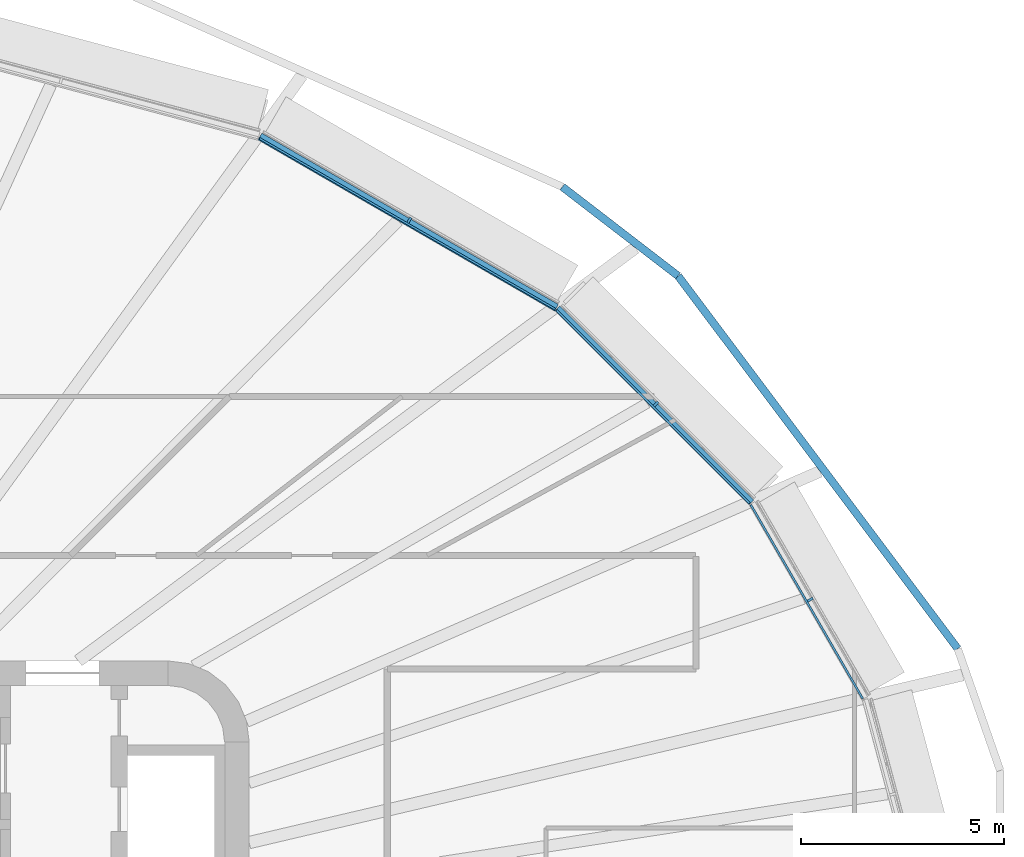
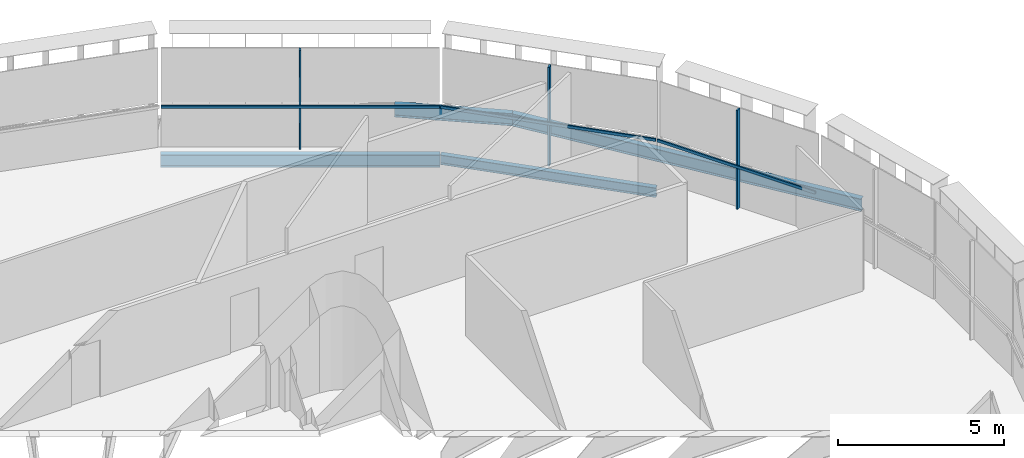
# One storey, part 10 of 25: 6 members, 4 beams, 3 elements without a shape of their own.
"""IFC4 building model written with IfcOpenShell, lengths in metres."""

from ifc_helpers import new_model, si_unit, direction, frame, origin, origin_2d, place, context, subcontext, project, spatial, rectangle, i_section, extrude, material, layer, layer_set, material_profile, profile_set, type_object, element, aggregate, save


model = new_model("IFC4")

# Units and contexts
model_context = context("Model", 3, precision=1e-05, world=origin(), true_north=direction((0.0, 1.0)))
body_context = subcontext(model_context, "Body", "Model", "MODEL_VIEW")
ifc_project = project(units=[si_unit("LENGTHUNIT", "METRE"), si_unit("AREAUNIT", "SQUARE_METRE"), si_unit("VOLUMEUNIT", "CUBIC_METRE"), si_unit("PLANEANGLEUNIT", "RADIAN"), si_unit("MASSUNIT", "GRAM", prefix="KILO")], contexts=[model_context])

# Site, building, storey
site_placement = place(None, origin())
site = spatial("IfcSite", under=ifc_project, at=site_placement, CompositionType="ELEMENT")
building_placement = place(site_placement, origin())
building = spatial("IfcBuilding", under=site, at=building_placement, Name="Sahrelin Media Tower", CompositionType="ELEMENT")
storey_placement = place(building_placement, frame((0.0, 0.0, 135.60009765625)))
storey = spatial("IfcBuildingStorey", under=building, at=storey_placement, Name="L27", CompositionType="ELEMENT", Elevation=135.60009765625)

# Beams
ifc_material_1 = material(Name="Steel S355", Category="steel")
ifc_material_profile_1 = material_profile(ifc_material_1, i_section(OverallWidth=0.17138671875, OverallDepth=0.35498046875, WebThickness=0.00732421875, FlangeThickness=0.011474609375, FilletRadius=0.01025390625, at=origin_2d()), Name="UB 356x171x51")
ifc_profile_set_1 = profile_set([ifc_material_profile_1], Name="Steel S355")
beam_type_1 = type_object("IfcBeamType", Name="Edge beam EB3", PredefinedType="BEAM", material=ifc_profile_set_1)
beam_1_placement = place(storey_placement, frame((22.59033203125, 16.677978515625, -0.32763671875), z_axis=(0.707106781187, -0.707106781187, 0.0), x_axis=(0.707106781187, 0.707106781187, 0.0)))
element("IfcBeam", 1, at=beam_1_placement, inside=storey, type_object=beam_type_1, Name="Edge beam L27-22", PredefinedType="BEAM", context=body_context, shape_type="SweptSolid", body=[
    extrude(i_section(OverallWidth=0.17138671875, OverallDepth=0.35498046875, WebThickness=0.00732421875, FlangeThickness=0.011474609375, FilletRadius=0.01025390625, at=origin_2d()), origin(), (0.0, 0.0, 1.0), 6.751953125),
])
ifc_material_profile_2 = material_profile(ifc_material_1, i_section(OverallWidth=0.1904296875, OverallDepth=0.45703125, WebThickness=0.009033203125, FlangeThickness=0.014404296875, FilletRadius=0.01025390625, at=origin_2d()), Name="UB 457x191x74")
ifc_profile_set_2 = profile_set([ifc_material_profile_2], Name="Steel S355")
beam_type_2 = type_object("IfcBeamType", Name="Edge beam EB5", PredefinedType="BEAM", material=ifc_profile_set_2)
beam_2_placement = place(storey_placement, frame((15.264404296875, 20.911865234375, -0.378662109375), z_axis=(0.866028896434, -0.499993950504, 0.0), x_axis=(0.499993950504, 0.866028896434, 0.0)))
element("IfcBeam", 2, at=beam_2_placement, inside=storey, type_object=beam_type_2, Name="Edge beam L27-21", PredefinedType="BEAM", context=body_context, shape_type="SweptSolid", body=[
    extrude(i_section(OverallWidth=0.1904296875, OverallDepth=0.45703125, WebThickness=0.009033203125, FlangeThickness=0.014404296875, FilletRadius=0.01025390625, at=origin_2d()), origin(), (0.0, 0.0, 1.0), 8.4326171875),
])

# Curtain wall, member
ifc_material_2 = material(Name="Champagne anodised aluminium 6063-T6", Category="aluminium")
ifc_layer = layer(ifc_material_2, 0.14990234375)
ifc_layer_set = layer_set([ifc_layer], Name="Tower ribbon curtain wall")
curtain_wall_type = type_object("IfcCurtainWallType", Name="Tower ribbon curtain wall", PredefinedType="NOTDEFINED", material=ifc_layer_set)
curtain_wall_1_placement = place(storey_placement, frame((28.8984375, 9.5546875, 0.0), z_axis=(0.0, 0.0, 1.0), x_axis=(1.0, 0.0, 0.0)))
curtain_wall_1 = element("IfcCurtainWall", 3, at=curtain_wall_1_placement, inside=storey, type_object=curtain_wall_type, Name="L27:CW:L27-02", PredefinedType="NOTDEFINED")
ifc_material_profile_3 = material_profile(ifc_material_2, rectangle(XDim=0.06005859375, YDim=0.14990234375, at=origin_2d()), Name="Mullion 60x150")
ifc_profile_set_3 = profile_set([ifc_material_profile_3], Name="Champagne anodised aluminium 6063-T6")
member_type_1 = type_object("IfcMemberType", Name="Mullion 60x150 CW1", PredefinedType="MULLION", material=ifc_profile_set_3)
member_1_placement = place(storey_placement, frame((28.816162109375, 9.507080078125, 0.0), z_axis=(0.0, 0.0, 1.0), x_axis=(-0.49999395399, 0.866028894422, 0.0)))
member_1 = element("IfcMember", 4, at=member_1_placement, type_object=member_type_1, Name="L27:CWM:L27-02", PredefinedType="MULLION", context=body_context, shape_type="SweptSolid", body=[
    extrude(rectangle(XDim=0.06005859375, YDim=0.14990234375, at=origin_2d()), origin(), (0.0, 0.0, 1.0), 3.6484375),
])

curtain_wall_2_placement = place(storey_placement, frame((25.08349609375, 14.39697265625, 0.0), z_axis=(0.0, 0.0, 1.0), x_axis=(1.0, 0.0, 0.0)))
curtain_wall_2 = element("IfcCurtainWall", 5, at=curtain_wall_2_placement, inside=storey, type_object=curtain_wall_type, Name="L27:CW:L27-03", PredefinedType="NOTDEFINED")
member_2_placement = place(storey_placement, frame((25.016357421875, 14.32958984375, 0.0), z_axis=(0.0, 0.0, 1.0), x_axis=(-0.707106781187, 0.707106781187, 0.0)))
member_2 = element("IfcMember", 6, at=member_2_placement, type_object=member_type_1, Name="L27:CWM:L27-03", PredefinedType="MULLION", context=body_context, shape_type="SweptSolid", body=[
    extrude(rectangle(XDim=0.06005859375, YDim=0.14990234375, at=origin_2d()), origin(), (0.0, 0.0, 1.0), 3.6484375),
])

curtain_wall_3_placement = place(storey_placement, frame((18.990966796875, 18.93359375, 0.0), z_axis=(0.0, 0.0, 1.0), x_axis=(1.0, 0.0, 0.0)))
curtain_wall_3 = element("IfcCurtainWall", 7, at=curtain_wall_3_placement, inside=storey, type_object=curtain_wall_type, Name="L27:CW:L27-04", PredefinedType="NOTDEFINED")
member_3_placement = place(storey_placement, frame((18.943603515625, 18.851318359375, 0.0), z_axis=(0.0, 0.0, 1.0), x_axis=(-0.866027149108, 0.499996976998, 0.0)))
member_3 = element("IfcMember", 8, at=member_3_placement, type_object=member_type_1, Name="L27:CWM:L27-04", PredefinedType="MULLION", context=body_context, shape_type="SweptSolid", body=[
    extrude(rectangle(XDim=0.06005859375, YDim=0.14990234375, at=origin_2d()), origin(), (0.0, 0.0, 1.0), 3.6484375),
])

# Beams
ifc_material_profile_4 = material_profile(ifc_material_1, i_section(OverallWidth=0.1904296875, OverallDepth=0.45703125, WebThickness=0.009033203125, FlangeThickness=0.014404296875, FilletRadius=0.01025390625, at=origin_2d()), Name="UB 457x191x74")
ifc_profile_set_4 = profile_set([ifc_material_profile_4], Name="Steel S355")
beam_type_3 = type_object("IfcBeamType", Name="Tie chord TC5", PredefinedType="BEAM", material=ifc_profile_set_4)
beam_3_placement = place(storey_placement, frame((32.4482421875, 8.2978515625, -0.378662109375), z_axis=(-0.600040835685, 0.799969371608, 0.0), x_axis=(-0.799969371608, -0.600040835685, 0.0)))
element("IfcBeam", 9, at=beam_3_placement, inside=storey, type_object=beam_type_3, Name="Tie chord L27-02", PredefinedType="BEAM", context=body_context, shape_type="SweptSolid", body=[
    extrude(i_section(OverallWidth=0.1904296875, OverallDepth=0.45703125, WebThickness=0.009033203125, FlangeThickness=0.014404296875, FilletRadius=0.01025390625, at=origin_2d()), origin(), (0.0, 0.0, 1.0), 11.478759765625),
])
beam_4_placement = place(storey_placement, frame((25.560546875, 17.48046875, -0.378662109375), z_axis=(-0.792467490374, 0.609914155189, 0.0), x_axis=(-0.609914155189, -0.792467490374, 0.0)))
element("IfcBeam", 10, at=beam_4_placement, inside=storey, type_object=beam_type_3, Name="Tie chord L27-03", PredefinedType="BEAM", context=body_context, shape_type="SweptSolid", body=[
    extrude(i_section(OverallWidth=0.1904296875, OverallDepth=0.45703125, WebThickness=0.009033203125, FlangeThickness=0.014404296875, FilletRadius=0.01025390625, at=origin_2d()), origin(), (0.0, 0.0, 1.0), 3.59619140625),
])

# Member
ifc_material_profile_5 = material_profile(ifc_material_2, rectangle(XDim=0.050048828125, YDim=0.10009765625, at=origin_2d()), Name="Transom 50x100")
ifc_profile_set_5 = profile_set([ifc_material_profile_5], Name="Champagne anodised aluminium 6063-T6")
member_type_2 = type_object("IfcMemberType", Name="Transom 50x100 CW1", PredefinedType="USERDEFINED", material=ifc_profile_set_5)
member_4_placement = place(storey_placement, frame((30.10791015625, 7.069580078125, 1.599853515625), z_axis=(-0.500006091826, 0.866021886639, 0.0), x_axis=(-0.866021886639, -0.500006091826, 0.0)))
member_4 = element("IfcMember", 11, at=member_4_placement, type_object=member_type_2, Name="L27:CWT:L27-02", ObjectType="TRANSOM", PredefinedType="USERDEFINED", context=body_context, shape_type="SweptSolid", body=[
    extrude(rectangle(XDim=0.050048828125, YDim=0.10009765625, at=origin_2d()), origin(), (0.0, 0.0, 1.0), 5.513671875),
])

aggregate(curtain_wall_1, [member_1, member_4])

member_5_placement = place(storey_placement, frame((27.32177734375, 11.8828125, 1.599853515625), z_axis=(-0.707106781187, 0.707106781187, 0.0), x_axis=(-0.707106781187, -0.707106781187, 0.0)))
member_5 = element("IfcMember", 12, at=member_5_placement, type_object=member_type_2, Name="L27:CWT:L27-03", ObjectType="TRANSOM", PredefinedType="USERDEFINED", context=body_context, shape_type="SweptSolid", body=[
    extrude(rectangle(XDim=0.050048828125, YDim=0.10009765625, at=origin_2d()), origin(), (0.0, 0.0, 1.0), 6.720703125),
])

aggregate(curtain_wall_2, [member_2, member_5])

member_6_placement = place(storey_placement, frame((22.53125, 16.664306640625, 1.599853515625), z_axis=(-0.866020563817, 0.500008382975, 0.0), x_axis=(-0.500008382975, -0.866020563817, 0.0)))
member_6 = element("IfcMember", 13, at=member_6_placement, type_object=member_type_2, Name="L27:CWT:L27-04", ObjectType="TRANSOM", PredefinedType="USERDEFINED", context=body_context, shape_type="SweptSolid", body=[
    extrude(rectangle(XDim=0.050048828125, YDim=0.10009765625, at=origin_2d()), origin(), (0.0, 0.0, 1.0), 8.401123046875),
])

aggregate(curtain_wall_3, [member_3, member_6])

save(model, "model.ifc")
